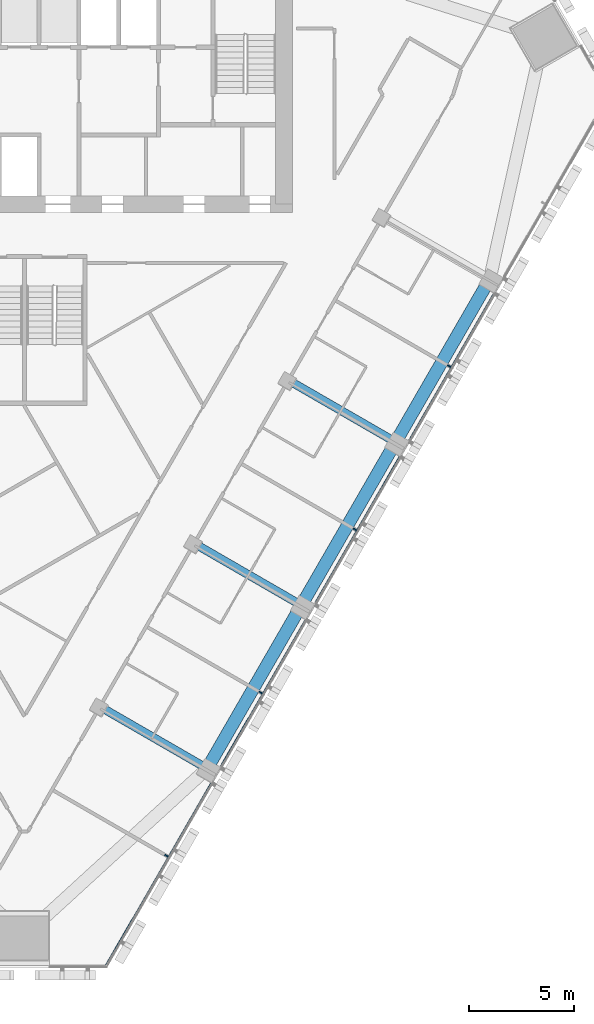
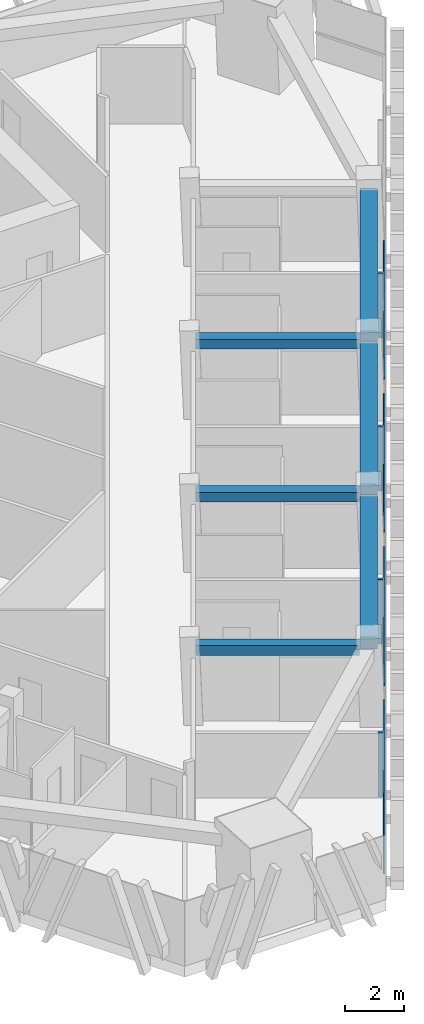
# One storey, part 4 of 16: 8 members, 6 beams, 1 element without a shape of its own.
"""IFC4 building model written with IfcOpenShell, lengths in metres."""

from ifc_helpers import new_model, si_unit, direction, frame, origin, origin_2d, place, context, subcontext, project, spatial, rectangle, extrude, material, layer, layer_set, material_profile, profile_set, type_object, element, aggregate, save


model = new_model("IFC4")

# Units and contexts
model_context = context("Model", 3, precision=1e-05, world=origin(), true_north=direction((0.0, 1.0)))
body_context = subcontext(model_context, "Body", "Model", "MODEL_VIEW")
ifc_project = project(units=[si_unit("LENGTHUNIT", "METRE"), si_unit("AREAUNIT", "SQUARE_METRE"), si_unit("VOLUMEUNIT", "CUBIC_METRE"), si_unit("PLANEANGLEUNIT", "RADIAN"), si_unit("MASSUNIT", "GRAM", prefix="KILO")], contexts=[model_context])

# Site, building, storey
site_placement = place(None, origin())
site = spatial("IfcSite", under=ifc_project, at=site_placement, CompositionType="ELEMENT")
building_placement = place(site_placement, origin())
building = spatial("IfcBuilding", under=site, at=building_placement, Name="Altiplano Prism Tower", CompositionType="ELEMENT")
storey_placement = place(building_placement, frame((0.0, 0.0, 127.800048828125)))
storey = spatial("IfcBuildingStorey", under=building, at=storey_placement, Name="L32", CompositionType="ELEMENT", Elevation=127.800048828125)

# Curtain wall, members
ifc_material_1 = material(Name="Aluminium and glass", Category="aluminium")
ifc_layer = layer(ifc_material_1, 0.280029296875)
ifc_layer_set = layer_set([ifc_layer], Name="Aluminium and glass")
curtain_wall_type = type_object("IfcCurtainWallType", Name="CW1 typical co-living unitised curtain wall", PredefinedType="NOTDEFINED", material=ifc_layer_set)
curtain_wall_placement = place(storey_placement, origin())
curtain_wall = element("IfcCurtainWall", 1, at=curtain_wall_placement, inside=storey, type_object=curtain_wall_type, Name="CW1 curtain wall south-east face L32", PredefinedType="NOTDEFINED")
ifc_material_2 = material(Name="Aluminium", Category="aluminium")
ifc_material_profile_1 = material_profile(ifc_material_2, rectangle(XDim=0.179931640625, YDim=0.06494140625, at=origin_2d()), Name="CW1 mullion 65 x 180")
ifc_profile_set_1 = profile_set([ifc_material_profile_1], Name="Aluminium")
member_type_1 = type_object("IfcMemberType", Name="CW1 mullion 65 x 180", PredefinedType="MULLION", material=ifc_profile_set_1)
member_1_placement = place(storey_placement, frame((91.7822265625, 61.8857421875, 0.0), z_axis=(0.0, 0.0, 1.0), x_axis=(-0.866025403531, 0.500000000438, 0.0)))
member_1 = element("IfcMember", 2, at=member_1_placement, type_object=member_type_1, Name="CW1 mullion", PredefinedType="MULLION", context=body_context, shape_type="SweptSolid", body=[
    extrude(rectangle(XDim=0.179931640625, YDim=0.06494140625, at=origin_2d()), origin(), (0.0, 0.0, 1.0), 2.64990234375),
])
member_2_placement = place(storey_placement, frame((96.2822265625, 69.68017578125, 0.0), z_axis=(0.0, 0.0, 1.0), x_axis=(-0.866025403531, 0.500000000438, 0.0)))
member_2 = element("IfcMember", 3, at=member_2_placement, type_object=member_type_1, Name="CW1 mullion", PredefinedType="MULLION", context=body_context, shape_type="SweptSolid", body=[
    extrude(rectangle(XDim=0.179931640625, YDim=0.06494140625, at=origin_2d()), origin(), (0.0, 0.0, 1.0), 2.64990234375),
])
member_3_placement = place(storey_placement, frame((100.7822265625, 77.474365234375, 0.0), z_axis=(0.0, 0.0, 1.0), x_axis=(-0.866025403531, 0.500000000438, 0.0)))
member_3 = element("IfcMember", 4, at=member_3_placement, type_object=member_type_1, Name="CW1 mullion", PredefinedType="MULLION", context=body_context, shape_type="SweptSolid", body=[
    extrude(rectangle(XDim=0.179931640625, YDim=0.06494140625, at=origin_2d()), origin(), (0.0, 0.0, 1.0), 2.64990234375),
])
member_4_placement = place(storey_placement, frame((105.2822265625, 85.2685546875, 0.0), z_axis=(0.0, 0.0, 1.0), x_axis=(-0.866025403531, 0.500000000438, 0.0)))
member_4 = element("IfcMember", 5, at=member_4_placement, type_object=member_type_1, Name="CW1 mullion", PredefinedType="MULLION", context=body_context, shape_type="SweptSolid", body=[
    extrude(rectangle(XDim=0.179931640625, YDim=0.06494140625, at=origin_2d()), origin(), (0.0, 0.0, 1.0), 2.64990234375),
])
ifc_material_profile_2 = material_profile(ifc_material_2, rectangle(XDim=0.06005859375, YDim=0.080078125, at=origin_2d()), Name="CW1 transom 80 x 60")
ifc_profile_set_2 = profile_set([ifc_material_profile_2], Name="Aluminium")
member_type_2 = type_object("IfcMemberType", Name="CW1 transom 80 x 60", PredefinedType="USERDEFINED", material=ifc_profile_set_2)
member_5_placement = place(storey_placement, frame((88.86181640625, 56.58740234375, 1.099853515625), z_axis=(0.499998719078, 0.866026143324, 0.0), x_axis=(-0.866026143324, 0.499998719078, 0.0)))
member_5 = element("IfcMember", 6, at=member_5_placement, type_object=member_type_2, Name="CW1 transom", ObjectType="TRANSOM", PredefinedType="USERDEFINED", context=body_context, shape_type="SweptSolid", body=[
    extrude(rectangle(XDim=0.06005859375, YDim=0.080078125, at=origin_2d()), origin(), (0.0, 0.0, 1.0), 10.123046875),
])
member_6_placement = place(storey_placement, frame((94.388427734375, 66.159912109375, 1.099853515625), z_axis=(0.500007908628, 0.866020837688, 0.0), x_axis=(-0.866020837688, 0.500007908628, 0.0)))
member_6 = element("IfcMember", 7, at=member_6_placement, type_object=member_type_2, Name="CW1 transom", ObjectType="TRANSOM", PredefinedType="USERDEFINED", context=body_context, shape_type="SweptSolid", body=[
    extrude(rectangle(XDim=0.06005859375, YDim=0.080078125, at=origin_2d()), origin(), (0.0, 0.0, 1.0), 8.069580078125),
])
member_7_placement = place(storey_placement, frame((98.888427734375, 73.9541015625, 1.099853515625), z_axis=(0.499994808408, 0.866028401131, 0.0), x_axis=(-0.866028401131, 0.499994808408, 0.0)))
member_7 = element("IfcMember", 8, at=member_7_placement, type_object=member_type_2, Name="CW1 transom", ObjectType="TRANSOM", PredefinedType="USERDEFINED", context=body_context, shape_type="SweptSolid", body=[
    extrude(rectangle(XDim=0.06005859375, YDim=0.080078125, at=origin_2d()), origin(), (0.0, 0.0, 1.0), 8.06982421875),
])
member_8_placement = place(storey_placement, frame((103.388427734375, 81.748291015625, 1.099853515625), z_axis=(0.499994808408, 0.866028401131, 0.0), x_axis=(-0.866028401131, 0.499994808408, 0.0)))
member_8 = element("IfcMember", 9, at=member_8_placement, type_object=member_type_2, Name="CW1 transom", ObjectType="TRANSOM", PredefinedType="USERDEFINED", context=body_context, shape_type="SweptSolid", body=[
    extrude(rectangle(XDim=0.06005859375, YDim=0.080078125, at=origin_2d()), origin(), (0.0, 0.0, 1.0), 8.06982421875),
])
aggregate(curtain_wall, [member_1, member_5, member_2, member_6, member_3, member_7, member_4, member_8])

# Beams
ifc_material_3 = material(Name="Concrete C60/75", Category="concrete")
ifc_material_profile_3 = material_profile(ifc_material_3, rectangle(XDim=0.60009765625, YDim=0.5, at=origin_2d()), Name="Edge beam 600x500")
ifc_profile_set_3 = profile_set([ifc_material_profile_3], Name="Concrete C60/75")
beam_type_1 = type_object("IfcBeamType", Name="Edge beam 600x500", PredefinedType="SPANDREL", material=ifc_profile_set_3)
for number, where, z_axis, x_axis, name in (
    (10, (93.879638671875, 66.315673828125, 2.89990234375), (0.500010445942, 0.866019372733, 0.0), (-0.866019372733, 0.500010445942, 0.0), "Edge beam P21-P22 L33"),
    (11, (98.379638671875, 74.10986328125, 2.89990234375), (0.500010445942, 0.866019372733, 0.0), (-0.866019372733, 0.500010445942, 0.0), "Edge beam P22-P23 L33"),
    (12, (102.879638671875, 81.904052734375, 2.89990234375), (0.500010445942, 0.866019372733, 0.0), (-0.866019372733, 0.500010445942, 0.0), "Edge beam P23-P24 L33"),
):
    element("IfcBeam", number, at=place(storey_placement, frame(where, z_axis=z_axis, x_axis=x_axis)), inside=storey, type_object=beam_type_1, Name=name, PredefinedType="SPANDREL", context=body_context, shape_type="SweptSolid", body=[
        extrude(rectangle(XDim=0.60009765625, YDim=0.5, at=origin_2d()), origin(), (0.0, 0.0, 1.0), 8.389892578125),
    ])
ifc_material_profile_4 = material_profile(ifc_material_3, rectangle(XDim=0.39990234375, YDim=0.39990234375, at=origin_2d()), Name="Tie beam 400x400")
ifc_profile_set_4 = profile_set([ifc_material_profile_4], Name="Concrete C60/75")
beam_type_2 = type_object("IfcBeamType", Name="Tie beam 400x400", PredefinedType="BEAM", material=ifc_profile_set_4)
for number, where, z_axis, x_axis, name in (
    (13, (88.665283203125, 68.973876953125, 2.949951171875), (0.866035138728, -0.499983138205, 0.0), (0.499983138205, 0.866035138728, 0.0), "Tie beam I21 L33"),
    (14, (93.165283203125, 76.768310546875, 2.949951171875), (0.866016055733, -0.50001619095, 0.0), (0.50001619095, 0.866016055733, 0.0), "Tie beam I22 L33"),
    (15, (97.665283203125, 84.5625, 2.949951171875), (0.866016055733, -0.50001619095, 0.0), (0.50001619095, 0.866016055733, 0.0), "Tie beam I23 L33"),
):
    element("IfcBeam", number, at=place(storey_placement, frame(where, z_axis=z_axis, x_axis=x_axis)), inside=storey, type_object=beam_type_2, Name=name, PredefinedType="BEAM", context=body_context, shape_type="SweptSolid", body=[
        extrude(rectangle(XDim=0.39990234375, YDim=0.39990234375, at=origin_2d()), origin(), (0.0, 0.0, 1.0), 5.539794921875),
    ])

save(model, "model.ifc")
